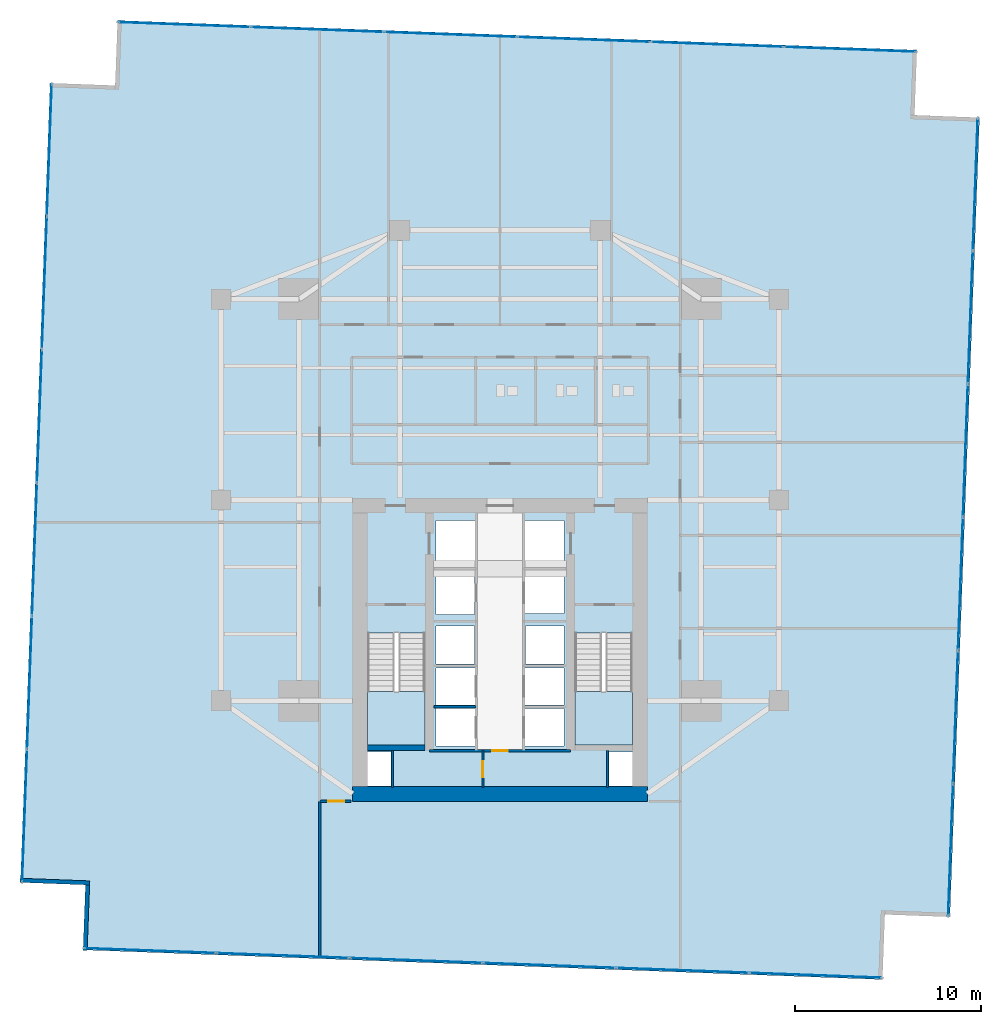
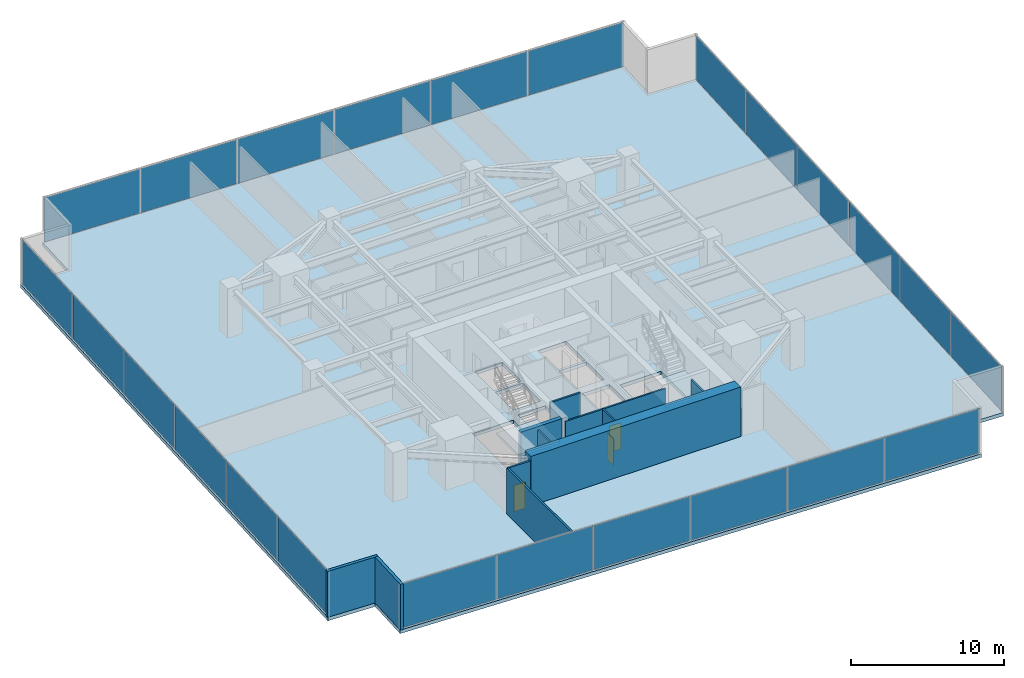
# One storey, part 26 of 30: 24 plates, 11 walls, 3 doors, 3 slabs, 3 openings, 6 elements without a shape of their own.
"""IFC4 building model written with IfcOpenShell, lengths in metres."""

import ifcopenshell
import ifcopenshell.guid

model = None  # the IFC model being written
_history = None  # IfcOwnerHistory: only IFC2X3 demands one
_inside = {}  # id of a spatial element -> (the spatial element, [elements in it])
_under = {}  # id of a project, library or spatial element -> (it, [spatial elements below it])
_declared = {}  # id of a project -> (the project, [libraries it declares])
_typed = {}  # id of a type object -> (the type object, [elements of that type])
_made_of = {}  # id of a material, layer set ... -> (it, [elements and type objects made of it])


def new_model(schema):
    """Start an empty IFC model of exactly this schema.

    Asked for "IFC4X3", IfcOpenShell would pick the latest addendum, in which some entities
    have other attributes; the version numbers below select the first issue.
    IFC2X3 requires an IfcOwnerHistory on every rooted entity: one is made here for all.
    """
    global model, _history
    if schema == "IFC4X3":
        model = ifcopenshell.file(schema_version=(4, 3, 0, 0))
    else:
        model = ifcopenshell.file(schema=schema)
    _inside.clear()
    _under.clear()
    _declared.clear()
    _typed.clear()
    _made_of.clear()
    _history = None
    if model.schema == "IFC2X3":
        org = make("IfcOrganization", Name="unknown")
        user = make(
            "IfcPersonAndOrganization",
            ThePerson=make("IfcPerson", FamilyName="unknown"),
            TheOrganization=org,
        )
        app = make(
            "IfcApplication",
            ApplicationDeveloper=org,
            Version="unknown",
            ApplicationFullName="unknown",
            ApplicationIdentifier="unknown",
        )
        _history = make(
            "IfcOwnerHistory",
            OwningUser=user,
            OwningApplication=app,
            ChangeAction="ADDED",
            CreationDate=0,
        )
    return model


def make(cls, **values):
    """One entity of the class cls with the attributes given. An attribute that is None is left unset."""
    return model.create_entity(
        cls, **{name: value for name, value in values.items() if value is not None}
    )


def rooted(cls, **values):
    """An entity with a GlobalId (a new one), such as an element, a storey or a relation."""
    return make(cls, GlobalId=ifcopenshell.guid.new(), OwnerHistory=_history, **values)


def si_unit(unit_type, name, prefix=None):
    """IfcSIUnit, for example si_unit("LENGTHUNIT", "METRE", prefix="MILLI")."""
    return make("IfcSIUnit", UnitType=unit_type, Prefix=prefix, Name=name)


def assignment(units):
    """IfcUnitAssignment: the units of a project."""
    return None if units is None else make("IfcUnitAssignment", Units=units)


def point(xyz):
    """IfcCartesianPoint."""
    return None if xyz is None else make("IfcCartesianPoint", Coordinates=xyz)


def direction(xyz):
    """IfcDirection."""
    return None if xyz is None else make("IfcDirection", DirectionRatios=xyz)


def frame(location, z_axis=None, x_axis=None):
    """IfcAxis2Placement3D, a coordinate frame: its origin and axes. An axis left out is left unset."""
    return make(
        "IfcAxis2Placement3D",
        Location=point(location),
        Axis=direction(z_axis),
        RefDirection=direction(x_axis),
    )


def frame_2d(location, x_axis=None):
    """IfcAxis2Placement2D, a coordinate frame in the plane: its origin and x axis."""
    return make(
        "IfcAxis2Placement2D", Location=point(location), RefDirection=direction(x_axis)
    )


def origin():
    """The frame at (0, 0, 0) with its axes left unset."""
    return frame((0.0, 0.0, 0.0))


def origin_2d():
    """The frame at (0, 0) in the plane with its x axis left unset."""
    return frame_2d((0.0, 0.0))


def place(relative_to, where):
    """IfcLocalPlacement: puts the frame where relative to a parent placement (None: the world)."""
    return make(
        "IfcLocalPlacement", PlacementRelTo=relative_to, RelativePlacement=where
    )


def context(
    kind, dimensions, precision=None, world=None, true_north=None, identifier=None
):
    """IfcGeometricRepresentationContext, for example the 3D "Model" context."""
    return make(
        "IfcGeometricRepresentationContext",
        ContextIdentifier=identifier,
        ContextType=kind,
        CoordinateSpaceDimension=dimensions,
        Precision=precision,
        WorldCoordinateSystem=world,
        TrueNorth=true_north,
    )


def subcontext(parent, identifier, kind, view, scale=None):
    """IfcGeometricRepresentationSubContext, for example "Body" below "Model"."""
    return make(
        "IfcGeometricRepresentationSubContext",
        ContextIdentifier=identifier,
        ContextType=kind,
        ParentContext=parent,
        TargetScale=scale,
        TargetView=view,
    )


def project(units=None, contexts=None):
    """IfcProject with its units and contexts."""
    return rooted(
        "IfcProject",
        Name="project",
        RepresentationContexts=contexts,
        UnitsInContext=assignment(units),
    )


def spatial(cls, under=None, at=None, **own):
    """A site, building, storey or space (cls), placed at a placement, below another one or the project."""
    s = rooted(cls, ObjectPlacement=at, **own)
    if under is not None:
        _under.setdefault(under.id(), (under, []))[1].append(s)
    return s


def polyline(points):
    """IfcPolyline through the points."""
    return make("IfcPolyline", Points=[point(p) for p in points])


def profile(cls, at=None, kind="AREA", **sizes):
    """A parametric profile (cls). Its sizes go by their IFC names, for example OverallWidth=200.0."""
    return make(cls, ProfileType=kind, Position=at, **sizes)


def rectangle(**sizes):
    """IfcRectangleProfileDef."""
    return profile("IfcRectangleProfileDef", **sizes)


def outline(outer, holes=None, kind="AREA"):
    """IfcArbitraryClosedProfileDef: a profile drawn as a closed curve; with holes, ...WithVoids."""
    if holes is None:
        return make("IfcArbitraryClosedProfileDef", ProfileType=kind, OuterCurve=outer)
    return make(
        "IfcArbitraryProfileDefWithVoids",
        ProfileType=kind,
        OuterCurve=outer,
        InnerCurves=holes,
    )


def extrude(swept, where, along, depth):
    """IfcExtrudedAreaSolid: the profile swept, set in the frame where, extruded along a direction by depth."""
    return make(
        "IfcExtrudedAreaSolid",
        SweptArea=swept,
        Position=where,
        ExtrudedDirection=direction(along),
        Depth=depth,
    )


def shape(context_of_items, identifier, shape_type, items):
    """IfcShapeRepresentation: the items that make up one representation, for example the "Body"."""
    return make(
        "IfcShapeRepresentation",
        ContextOfItems=context_of_items,
        RepresentationIdentifier=identifier,
        RepresentationType=shape_type,
        Items=items,
    )


def source(mapping_origin, context_of_items, identifier, shape_type, items):
    """IfcRepresentationMap: a shape defined once, which mapped items show again and again."""
    return make(
        "IfcRepresentationMap",
        MappingOrigin=mapping_origin,
        MappedRepresentation=shape(context_of_items, identifier, shape_type, items),
    )


def transform(
    local_origin,
    x_axis=None,
    y_axis=None,
    z_axis=None,
    scale=None,
    scale2=None,
    scale3=None,
    uniform=True,
):
    """IfcCartesianTransformationOperator3D, or its non-uniform kind. x_axis, y_axis, z_axis: its Axis1, 2, 3."""
    if uniform:
        return make(
            "IfcCartesianTransformationOperator3D",
            Axis1=direction(x_axis),
            Axis2=direction(y_axis),
            LocalOrigin=point(local_origin),
            Scale=scale,
            Axis3=direction(z_axis),
        )
    return make(
        "IfcCartesianTransformationOperator3DnonUniform",
        Axis1=direction(x_axis),
        Axis2=direction(y_axis),
        LocalOrigin=point(local_origin),
        Scale=scale,
        Axis3=direction(z_axis),
        Scale2=scale2,
        Scale3=scale3,
    )


def mapped(mapping_source, mapping_target):
    """IfcMappedItem: shows the shape of a source again, moved by a transform."""
    return make(
        "IfcMappedItem", MappingSource=mapping_source, MappingTarget=mapping_target
    )


def material(Name=None, Category=None):
    """IfcMaterial."""
    return make("IfcMaterial", Name=Name, Category=Category)


def layer(
    of_material, thickness, ventilated=None, Name=None, Category=None, Priority=None
):
    """IfcMaterialLayer: one layer of a wall or slab, of a material (None: an air gap)."""
    return make(
        "IfcMaterialLayer",
        Material=of_material,
        LayerThickness=thickness,
        IsVentilated=ventilated,
        Name=Name,
        Category=Category,
        Priority=Priority,
    )


def layer_set(layers, Name=None):
    """IfcMaterialLayerSet."""
    return make("IfcMaterialLayerSet", MaterialLayers=layers, LayerSetName=Name)


def made_of(thing, what):
    """Note that an element or type object is made of a material, layer set ...; save() writes the relation."""
    if what is not None:
        _made_of.setdefault(what.id(), (what, []))[1].append(thing)
    return thing


def type_object(cls, material=None, **own):
    """A type object (cls), such as IfcWallType, which elements share."""
    return made_of(rooted(cls, **own), material)


def type_shapes(of_type, sources):
    """Give a type object the sources (RepresentationMaps) that its elements show as mapped items."""
    of_type.RepresentationMaps = sources


def element(
    cls,
    number,
    at=None,
    inside=None,
    cuts=None,
    type_object=None,
    material=None,
    context=None,
    identifier="Body",
    shape_type=None,
    held_by="IfcProductDefinitionShape",
    body=None,
    shapes=None,
    **own,
):
    """One element of the class cls, such as IfcWall. Its Tag is "e" and its number.

    at: its placement. inside: the storey or other place that contains it. cuts: it is an
    opening in that element (IfcRelVoidsElement). A single representation is given by context,
    identifier, shape_type and body (its items); several are given by shapes. held_by: the class
    of the entity that holds the representations. save() writes the other relations.
    """
    e = rooted(cls, Tag="e%d" % number, ObjectPlacement=at, **own)
    if body is not None:
        shapes = [shape(context, identifier, shape_type, body)]
    if shapes is not None:
        e.Representation = make(held_by, Representations=shapes)
    if inside is not None:
        _inside.setdefault(inside.id(), (inside, []))[1].append(e)
    if cuts is not None:
        rooted(
            "IfcRelVoidsElement", RelatingBuildingElement=cuts, RelatedOpeningElement=e
        )
    if type_object is not None:
        _typed.setdefault(type_object.id(), (type_object, []))[1].append(e)
    return made_of(e, material)


def fill(opening, filler):
    """IfcRelFillsElement: the door or window that sits in an opening."""
    return rooted(
        "IfcRelFillsElement",
        RelatingOpeningElement=opening,
        RelatedBuildingElement=filler,
    )


def aggregate(whole, parts):
    """IfcRelAggregates: a whole, such as a stair, and the parts it consists of."""
    return rooted("IfcRelAggregates", RelatingObject=whole, RelatedObjects=parts)


def save(model, path):
    """Write the relations noted so far, then the file.

    IfcRelAggregates (storeys below a building ...), IfcRelContainedInSpatialStructure (elements
    in a storey), IfcRelDefinesByType, IfcRelAssociatesMaterial and IfcRelDeclares: one each for
    every whole, place, type object, material and project.
    """
    for whole, parts in _under.values():
        aggregate(whole, parts)
    for where, things in _inside.values():
        rooted(
            "IfcRelContainedInSpatialStructure",
            RelatedElements=things,
            RelatingStructure=where,
        )
    for kind, things in _typed.values():
        rooted("IfcRelDefinesByType", RelatedObjects=things, RelatingType=kind)
    for what, things in _made_of.values():
        rooted("IfcRelAssociatesMaterial", RelatedObjects=things, RelatingMaterial=what)
    for by, libraries in _declared.values():
        rooted("IfcRelDeclares", RelatingContext=by, RelatedDefinitions=libraries)
    model.write(path)


model = new_model("IFC4")

# Units and contexts
model_context = context("Model", 3, precision=1e-05, world=origin(), true_north=direction((0.0, 1.0)))
body_context = subcontext(model_context, "Body", "Model", "MODEL_VIEW")
ifc_project = project(units=[si_unit("LENGTHUNIT", "METRE"), si_unit("AREAUNIT", "SQUARE_METRE"), si_unit("VOLUMEUNIT", "CUBIC_METRE"), si_unit("PLANEANGLEUNIT", "RADIAN"), si_unit("MASSUNIT", "GRAM", prefix="KILO")], contexts=[model_context])

# Site, building, storey
site_placement = place(None, origin())
site = spatial("IfcSite", under=ifc_project, at=site_placement, CompositionType="ELEMENT")
building_placement = place(site_placement, origin())
building = spatial("IfcBuilding", under=site, at=building_placement, Name="Krantzveldt Concourse Tower", CompositionType="ELEMENT")
storey_placement = place(building_placement, frame((0.0, 0.0, 36.85009765625)))
storey = spatial("IfcBuildingStorey", under=building, at=storey_placement, Name="L08", CompositionType="ELEMENT", Elevation=36.85009765625)

# Stair, slab
ifc_material_1 = material(Name="Precast concrete C40/50", Category="concrete")
stair_type = type_object("IfcStairType", Name="STR-CORE-DOGLEG", PredefinedType="HALF_TURN_STAIR", material=ifc_material_1)
stair_1_placement = place(storey_placement, origin())
stair_1 = element("IfcStair", 1, at=stair_1_placement, inside=storey, type_object=stair_type, Name="L08 Protected Escape Stair ST-1", PredefinedType="HALF_TURN_STAIR")
ifc_layer_1 = layer(ifc_material_1, 0.199951171875, Name="Precast concrete C40/50", Category="concrete")
ifc_layer_set_1 = layer_set([ifc_layer_1], Name="Precast concrete C40/50 (SL-LANDING-200)")
slab_type_1 = type_object("IfcSlabType", Name="SL-LANDING-200", PredefinedType="LANDING", material=ifc_layer_set_1)
slab_1_placement = place(storey_placement, frame((0.0, 0.0, 1.77490234375)))
slab_1 = element("IfcSlab", 2, at=slab_1_placement, type_object=slab_type_1, Name="ST-1 landing 1", PredefinedType="LANDING", context=body_context, shape_type="SweptSolid", body=[
    extrude(outline(polyline([(28.8798828125, 16.4150390625), (28.8798828125, 13.52001953125), (31.97998046875, 13.52001953125), (31.97998046875, 16.4150390625), (28.8798828125, 16.4150390625)])), origin(), (0.0, 0.0, 1.0), 0.199951171875),
])
aggregate(stair_1, [slab_1])

stair_2_placement = place(storey_placement, origin())
stair_2 = element("IfcStair", 3, at=stair_2_placement, inside=storey, type_object=stair_type, Name="L08 Protected Escape Stair ST-2", PredefinedType="HALF_TURN_STAIR")
slab_2_placement = place(storey_placement, frame((0.0, 0.0, 1.77490234375)))
slab_2 = element("IfcSlab", 4, at=slab_2_placement, type_object=slab_type_1, Name="ST-2 landing 1", PredefinedType="LANDING", context=body_context, shape_type="SweptSolid", body=[
    extrude(outline(polyline([(40.02001953125, 16.4150390625), (40.02001953125, 13.52001953125), (43.1201171875, 13.52001953125), (43.1201171875, 16.4150390625), (40.02001953125, 16.4150390625)])), origin(), (0.0, 0.0, 1.0), 0.199951171875),
])
aggregate(stair_2, [slab_2])

# Slab
ifc_material_2 = material(Name="Concrete C40/50", Category="concrete")
ifc_layer_2 = layer(ifc_material_2, 0.280029296875, Name="Concrete C40/50", Category="concrete")
ifc_layer_set_2 = layer_set([ifc_layer_2], Name="Concrete C40/50 (SL-SL-TWR280)")
slab_type_2 = type_object("IfcSlabType", Name="SL-SL-TWR280", PredefinedType="FLOOR", material=ifc_layer_set_2)
slab_3_placement = place(storey_placement, frame((0.0, 0.0, -0.280029296875)))
element("IfcSlab", 5, at=slab_3_placement, inside=storey, type_object=slab_type_2, Name="SL-L08-MAIN", PredefinedType="FLOOR", context=body_context, shape_type="SweptSolid", body=[
    extrude(outline(polyline([(15.31201171875, 48.982421875), (11.814453125, 49.1123046875), (10.219970703125, 6.141845703125), (13.717529296875, 6.011962890625), (13.587890625, 2.514404296875), (56.55810546875, 0.919921875), (56.68798828125, 4.41748046875), (60.185546875, 4.287841796875), (61.780029296875, 47.25830078125), (58.282470703125, 47.387939453125), (58.412109375, 50.885498046875), (15.44189453125, 52.47998046875), (15.31201171875, 48.982421875)]), holes=[polyline([(28.8798828125, 19.547607421875), (28.8798828125, 13.52001953125), (31.97998046875, 13.52001953125), (31.97998046875, 19.547607421875), (28.8798828125, 19.547607421875)]), polyline([(40.02001953125, 19.547607421875), (40.02001953125, 13.52001953125), (43.1201171875, 13.52001953125), (43.1201171875, 19.547607421875), (40.02001953125, 19.547607421875)]), polyline([(32.550048828125, 23.10009765625), (34.64990234375, 23.10009765625), (34.64990234375, 25.60009765625), (32.550048828125, 25.60009765625), (32.550048828125, 23.10009765625)]), polyline([(37.35009765625, 23.10009765625), (39.449951171875, 23.10009765625), (39.449951171875, 25.60009765625), (37.35009765625, 25.60009765625), (37.35009765625, 23.10009765625)]), polyline([(37.35009765625, 20.60009765625), (39.449951171875, 20.60009765625), (39.449951171875, 22.89990234375), (37.35009765625, 22.89990234375), (37.35009765625, 20.60009765625)]), polyline([(32.550048828125, 13.47998046875), (34.64990234375, 13.47998046875), (34.64990234375, 15.47998046875), (32.550048828125, 15.47998046875), (32.550048828125, 13.47998046875)]), polyline([(32.550048828125, 15.679931640625), (34.64990234375, 15.679931640625), (34.64990234375, 17.679931640625), (32.550048828125, 17.679931640625), (32.550048828125, 15.679931640625)]), polyline([(37.35009765625, 13.47998046875), (39.449951171875, 13.47998046875), (39.449951171875, 15.47998046875), (37.35009765625, 15.47998046875), (37.35009765625, 13.47998046875)]), polyline([(37.35009765625, 15.679931640625), (39.449951171875, 15.679931640625), (39.449951171875, 17.679931640625), (37.35009765625, 17.679931640625), (37.35009765625, 15.679931640625)]), polyline([(32.550048828125, 20.550048828125), (34.6201171875, 20.550048828125), (34.6201171875, 22.89990234375), (32.550048828125, 22.89990234375), (32.550048828125, 20.550048828125)]), polyline([(32.550048828125, 17.8798828125), (34.6201171875, 17.8798828125), (34.6201171875, 19.919921875), (32.550048828125, 19.919921875), (32.550048828125, 17.8798828125)]), polyline([(37.3798828125, 17.8798828125), (39.449951171875, 17.8798828125), (39.449951171875, 19.919921875), (37.3798828125, 19.919921875), (37.3798828125, 17.8798828125)]), polyline([(28.8798828125, 11.320068359375), (30.139892578125, 11.320068359375), (30.139892578125, 13.159912109375), (28.8798828125, 13.159912109375), (28.8798828125, 11.320068359375)]), polyline([(41.860107421875, 11.320068359375), (43.1201171875, 11.320068359375), (43.1201171875, 13.159912109375), (41.860107421875, 13.159912109375), (41.860107421875, 11.320068359375)])]), origin(), (0.0, 0.0, 1.0), 0.280029296875),
])

# Curtain wall, plates
ifc_material_3 = material(Name="Anodised aluminium 6063-T6", Category="aluminium")
curtain_wall_type = type_object("IfcCurtainWallType", Name="CW2", PredefinedType="USERDEFINED", material=ifc_material_3)
curtain_wall_1_placement = place(storey_placement, origin())
curtain_wall_1 = element("IfcCurtainWall", 6, at=curtain_wall_1_placement, inside=storey, type_object=curtain_wall_type, Name="CW-L08-F01", ObjectType="UNITISED CURTAIN WALL", PredefinedType="USERDEFINED")
ifc_material_4 = material(Name="Bronze-tinted laminated low-E IGU glass", Category="glass")
ifc_layer_3 = layer(ifc_material_4, 0.031982421875, Name="Bronze-tinted laminated low-E IGU glass", Category="glass")
ifc_layer_set_3 = layer_set([ifc_layer_3], Name="Bronze-tinted laminated low-E IGU glass (CW-GLZ-32)")
plate_type = type_object("IfcPlateType", Name="CW-GLZ-32", PredefinedType="CURTAIN_PANEL", material=ifc_layer_set_3)
shared_shape_1 = source(origin(), body_context, "Body", "SweptSolid", [
    extrude(rectangle(XDim=7.061767578125, YDim=0.031982421875, at=origin_2d()), origin(), (0.0, 0.0, 1.0), 3.530029296875),
])
plate_1_placement = place(storey_placement, frame((11.770751953125, 45.510498046875, 0.06982421875), z_axis=(0.0, 0.0, 1.0), x_axis=(-0.037079766834, -0.999312308986, 0.0)))
plate_1 = element("IfcPlate", 7, at=plate_1_placement, type_object=plate_type, Name="CW-Z12 panel 1.1", PredefinedType="CURTAIN_PANEL", context=body_context, shape_type="MappedRepresentation", body=[
    mapped(shared_shape_1, transform((0.0, 0.0, 0.0), x_axis=(1.0, 0.0, 0.0), y_axis=(0.0, 1.0, 0.0), z_axis=(0.0, 0.0, 1.0), scale=1.0)),
])
plate_2_placement = place(storey_placement, frame((10.443359375, 9.73681640625, 0.06982421875), z_axis=(0.0, 0.0, 1.0), x_axis=(-0.037079766834, -0.999312308986, 0.0)))
plate_2 = element("IfcPlate", 8, at=plate_2_placement, type_object=plate_type, Name="CW-Z12 panel 6.1", PredefinedType="CURTAIN_PANEL", context=body_context, shape_type="MappedRepresentation", body=[
    mapped(shared_shape_1, transform((0.0, 0.0, 0.0), x_axis=(1.0, 0.0, 0.0), y_axis=(0.0, 1.0, 0.0), z_axis=(0.0, 0.0, 1.0), scale=1.0)),
])

curtain_wall_2_placement = place(storey_placement, origin())
curtain_wall_2 = element("IfcCurtainWall", 9, at=curtain_wall_2_placement, inside=storey, type_object=curtain_wall_type, Name="CW-L08-F04", ObjectType="UNITISED CURTAIN WALL", PredefinedType="USERDEFINED")
plate_3_placement = place(storey_placement, frame((17.189453125, 2.470947265625, 0.06982421875), z_axis=(0.0, 0.0, 1.0), x_axis=(0.999312308986, -0.037079766834, 0.0)))
plate_3 = element("IfcPlate", 10, at=plate_3_placement, type_object=plate_type, Name="CW-Z12 panel 1.1", PredefinedType="CURTAIN_PANEL", context=body_context, shape_type="MappedRepresentation", body=[
    mapped(shared_shape_1, transform((0.0, 0.0, 0.0), x_axis=(1.0, 0.0, 0.0), y_axis=(0.0, 1.0, 0.0), z_axis=(0.0, 0.0, 1.0), scale=1.0)),
])
plate_4_placement = place(storey_placement, frame((52.963134765625, 1.1435546875, 0.06982421875), z_axis=(0.0, 0.0, 1.0), x_axis=(0.999312308986, -0.037079766834, 0.0)))
plate_4 = element("IfcPlate", 11, at=plate_4_placement, type_object=plate_type, Name="CW-Z12 panel 6.1", PredefinedType="CURTAIN_PANEL", context=body_context, shape_type="MappedRepresentation", body=[
    mapped(shared_shape_1, transform((0.0, 0.0, 0.0), x_axis=(1.0, 0.0, 0.0), y_axis=(0.0, 1.0, 0.0), z_axis=(0.0, 0.0, 1.0), scale=1.0)),
])

curtain_wall_3_placement = place(storey_placement, origin())
curtain_wall_3 = element("IfcCurtainWall", 12, at=curtain_wall_3_placement, inside=storey, type_object=curtain_wall_type, Name="CW-L08-F07", ObjectType="UNITISED CURTAIN WALL", PredefinedType="USERDEFINED")
plate_5_placement = place(storey_placement, frame((60.229248046875, 7.889404296875, 0.06982421875), z_axis=(0.0, 0.0, 1.0), x_axis=(0.037079766834, 0.999312308986, 0.0)))
plate_5 = element("IfcPlate", 13, at=plate_5_placement, type_object=plate_type, Name="CW-Z12 panel 1.1", PredefinedType="CURTAIN_PANEL", context=body_context, shape_type="MappedRepresentation", body=[
    mapped(shared_shape_1, transform((0.0, 0.0, 0.0), x_axis=(1.0, 0.0, 0.0), y_axis=(0.0, 1.0, 0.0), z_axis=(0.0, 0.0, 1.0), scale=1.0)),
])
plate_6_placement = place(storey_placement, frame((61.556640625, 43.6630859375, 0.06982421875), z_axis=(0.0, 0.0, 1.0), x_axis=(0.037079766834, 0.999312308986, 0.0)))
plate_6 = element("IfcPlate", 14, at=plate_6_placement, type_object=plate_type, Name="CW-Z12 panel 6.1", PredefinedType="CURTAIN_PANEL", context=body_context, shape_type="MappedRepresentation", body=[
    mapped(shared_shape_1, transform((0.0, 0.0, 0.0), x_axis=(1.0, 0.0, 0.0), y_axis=(0.0, 1.0, 0.0), z_axis=(0.0, 0.0, 1.0), scale=1.0)),
])

curtain_wall_4_placement = place(storey_placement, origin())
curtain_wall_4 = element("IfcCurtainWall", 15, at=curtain_wall_4_placement, inside=storey, type_object=curtain_wall_type, Name="CW-L08-F10", ObjectType="UNITISED CURTAIN WALL", PredefinedType="USERDEFINED")
plate_7_placement = place(storey_placement, frame((54.810546875, 50.92919921875, 0.06982421875), z_axis=(0.0, 0.0, 1.0), x_axis=(-0.999312308986, 0.037079766834, 0.0)))
plate_7 = element("IfcPlate", 16, at=plate_7_placement, type_object=plate_type, Name="CW-Z12 panel 1.1", PredefinedType="CURTAIN_PANEL", context=body_context, shape_type="MappedRepresentation", body=[
    mapped(shared_shape_1, transform((0.0, 0.0, 0.0), x_axis=(1.0, 0.0, 0.0), y_axis=(0.0, 1.0, 0.0), z_axis=(0.0, 0.0, 1.0), scale=1.0)),
])
plate_8_placement = place(storey_placement, frame((19.036865234375, 52.256591796875, 0.06982421875), z_axis=(0.0, 0.0, 1.0), x_axis=(-0.999312308986, 0.037079766834, 0.0)))
plate_8 = element("IfcPlate", 17, at=plate_8_placement, type_object=plate_type, Name="CW-Z12 panel 6.1", PredefinedType="CURTAIN_PANEL", context=body_context, shape_type="MappedRepresentation", body=[
    mapped(shared_shape_1, transform((0.0, 0.0, 0.0), x_axis=(1.0, 0.0, 0.0), y_axis=(0.0, 1.0, 0.0), z_axis=(0.0, 0.0, 1.0), scale=1.0)),
])

# Plate
shared_shape_2 = source(origin(), body_context, "Body", "SweptSolid", [
    extrude(rectangle(XDim=7.0966796875, YDim=0.031982421875, at=origin_2d()), origin(), (0.0, 0.0, 1.0), 3.530029296875),
])
type_shapes(plate_type, [shared_shape_1, shared_shape_2])
plate_9_placement = place(storey_placement, frame((11.505859375, 38.3662109375, 0.06982421875), z_axis=(0.0, 0.0, 1.0), x_axis=(-0.037079766834, -0.999312308986, 0.0)))
plate_9 = element("IfcPlate", 18, at=plate_9_placement, type_object=plate_type, Name="CW-Z12 panel 2.1", PredefinedType="CURTAIN_PANEL", context=body_context, shape_type="MappedRepresentation", body=[
    mapped(shared_shape_2, transform((0.0, 0.0, 0.0), x_axis=(1.0, 0.0, 0.0), y_axis=(0.0, 1.0, 0.0), z_axis=(0.0, 0.0, 1.0), scale=1.0)),
])

plate_10_placement = place(storey_placement, frame((11.239990234375, 31.20458984375, 0.06982421875), z_axis=(0.0, 0.0, 1.0), x_axis=(-0.037079766834, -0.999312308986, 0.0)))
plate_10 = element("IfcPlate", 19, at=plate_10_placement, type_object=plate_type, Name="CW-Z12 panel 3.1", PredefinedType="CURTAIN_PANEL", context=body_context, shape_type="MappedRepresentation", body=[
    mapped(shared_shape_2, transform((0.0, 0.0, 0.0), x_axis=(1.0, 0.0, 0.0), y_axis=(0.0, 1.0, 0.0), z_axis=(0.0, 0.0, 1.0), scale=1.0)),
])

plate_11_placement = place(storey_placement, frame((10.974365234375, 24.042724609375, 0.06982421875), z_axis=(0.0, 0.0, 1.0), x_axis=(-0.037079766834, -0.999312308986, 0.0)))
plate_11 = element("IfcPlate", 20, at=plate_11_placement, type_object=plate_type, Name="CW-Z12 panel 4.1", PredefinedType="CURTAIN_PANEL", context=body_context, shape_type="MappedRepresentation", body=[
    mapped(shared_shape_2, transform((0.0, 0.0, 0.0), x_axis=(1.0, 0.0, 0.0), y_axis=(0.0, 1.0, 0.0), z_axis=(0.0, 0.0, 1.0), scale=1.0)),
])

plate_12_placement = place(storey_placement, frame((10.70849609375, 16.881103515625, 0.06982421875), z_axis=(0.0, 0.0, 1.0), x_axis=(-0.037079766834, -0.999312308986, 0.0)))
plate_12 = element("IfcPlate", 21, at=plate_12_placement, type_object=plate_type, Name="CW-Z12 panel 5.1", PredefinedType="CURTAIN_PANEL", context=body_context, shape_type="MappedRepresentation", body=[
    mapped(shared_shape_2, transform((0.0, 0.0, 0.0), x_axis=(1.0, 0.0, 0.0), y_axis=(0.0, 1.0, 0.0), z_axis=(0.0, 0.0, 1.0), scale=1.0)),
])

aggregate(curtain_wall_1, [plate_1, plate_9, plate_10, plate_11, plate_12, plate_2])

plate_13_placement = place(storey_placement, frame((24.333740234375, 2.205810546875, 0.06982421875), z_axis=(0.0, 0.0, 1.0), x_axis=(0.999312308986, -0.037079766834, 0.0)))
plate_13 = element("IfcPlate", 22, at=plate_13_placement, type_object=plate_type, Name="CW-Z12 panel 2.1", PredefinedType="CURTAIN_PANEL", context=body_context, shape_type="MappedRepresentation", body=[
    mapped(shared_shape_2, transform((0.0, 0.0, 0.0), x_axis=(1.0, 0.0, 0.0), y_axis=(0.0, 1.0, 0.0), z_axis=(0.0, 0.0, 1.0), scale=1.0)),
])

plate_14_placement = place(storey_placement, frame((31.495361328125, 1.93994140625, 0.06982421875), z_axis=(0.0, 0.0, 1.0), x_axis=(0.999312308986, -0.037079766834, 0.0)))
plate_14 = element("IfcPlate", 23, at=plate_14_placement, type_object=plate_type, Name="CW-Z12 panel 3.1", PredefinedType="CURTAIN_PANEL", context=body_context, shape_type="MappedRepresentation", body=[
    mapped(shared_shape_2, transform((0.0, 0.0, 0.0), x_axis=(1.0, 0.0, 0.0), y_axis=(0.0, 1.0, 0.0), z_axis=(0.0, 0.0, 1.0), scale=1.0)),
])

plate_15_placement = place(storey_placement, frame((38.6572265625, 1.67431640625, 0.06982421875), z_axis=(0.0, 0.0, 1.0), x_axis=(0.999312308986, -0.037079766834, 0.0)))
plate_15 = element("IfcPlate", 24, at=plate_15_placement, type_object=plate_type, Name="CW-Z12 panel 4.1", PredefinedType="CURTAIN_PANEL", context=body_context, shape_type="MappedRepresentation", body=[
    mapped(shared_shape_2, transform((0.0, 0.0, 0.0), x_axis=(1.0, 0.0, 0.0), y_axis=(0.0, 1.0, 0.0), z_axis=(0.0, 0.0, 1.0), scale=1.0)),
])

plate_16_placement = place(storey_placement, frame((45.81884765625, 1.408447265625, 0.06982421875), z_axis=(0.0, 0.0, 1.0), x_axis=(0.999312308986, -0.037079766834, 0.0)))
plate_16 = element("IfcPlate", 25, at=plate_16_placement, type_object=plate_type, Name="CW-Z12 panel 5.1", PredefinedType="CURTAIN_PANEL", context=body_context, shape_type="MappedRepresentation", body=[
    mapped(shared_shape_2, transform((0.0, 0.0, 0.0), x_axis=(1.0, 0.0, 0.0), y_axis=(0.0, 1.0, 0.0), z_axis=(0.0, 0.0, 1.0), scale=1.0)),
])

aggregate(curtain_wall_2, [plate_3, plate_13, plate_14, plate_15, plate_16, plate_4])

plate_17_placement = place(storey_placement, frame((60.494140625, 15.03369140625, 0.06982421875), z_axis=(0.0, 0.0, 1.0), x_axis=(0.037079766834, 0.999312308986, 0.0)))
plate_17 = element("IfcPlate", 26, at=plate_17_placement, type_object=plate_type, Name="CW-Z12 panel 2.1", PredefinedType="CURTAIN_PANEL", context=body_context, shape_type="MappedRepresentation", body=[
    mapped(shared_shape_2, transform((0.0, 0.0, 0.0), x_axis=(1.0, 0.0, 0.0), y_axis=(0.0, 1.0, 0.0), z_axis=(0.0, 0.0, 1.0), scale=1.0)),
])

plate_18_placement = place(storey_placement, frame((60.760009765625, 22.195556640625, 0.06982421875), z_axis=(0.0, 0.0, 1.0), x_axis=(0.037079766834, 0.999312308986, 0.0)))
plate_18 = element("IfcPlate", 27, at=plate_18_placement, type_object=plate_type, Name="CW-Z12 panel 3.1", PredefinedType="CURTAIN_PANEL", context=body_context, shape_type="MappedRepresentation", body=[
    mapped(shared_shape_2, transform((0.0, 0.0, 0.0), x_axis=(1.0, 0.0, 0.0), y_axis=(0.0, 1.0, 0.0), z_axis=(0.0, 0.0, 1.0), scale=1.0)),
])

plate_19_placement = place(storey_placement, frame((61.025634765625, 29.357177734375, 0.06982421875), z_axis=(0.0, 0.0, 1.0), x_axis=(0.037079766834, 0.999312308986, 0.0)))
plate_19 = element("IfcPlate", 28, at=plate_19_placement, type_object=plate_type, Name="CW-Z12 panel 4.1", PredefinedType="CURTAIN_PANEL", context=body_context, shape_type="MappedRepresentation", body=[
    mapped(shared_shape_2, transform((0.0, 0.0, 0.0), x_axis=(1.0, 0.0, 0.0), y_axis=(0.0, 1.0, 0.0), z_axis=(0.0, 0.0, 1.0), scale=1.0)),
])

plate_20_placement = place(storey_placement, frame((61.29150390625, 36.51904296875, 0.06982421875), z_axis=(0.0, 0.0, 1.0), x_axis=(0.037079766834, 0.999312308986, 0.0)))
plate_20 = element("IfcPlate", 29, at=plate_20_placement, type_object=plate_type, Name="CW-Z12 panel 5.1", PredefinedType="CURTAIN_PANEL", context=body_context, shape_type="MappedRepresentation", body=[
    mapped(shared_shape_2, transform((0.0, 0.0, 0.0), x_axis=(1.0, 0.0, 0.0), y_axis=(0.0, 1.0, 0.0), z_axis=(0.0, 0.0, 1.0), scale=1.0)),
])

aggregate(curtain_wall_3, [plate_5, plate_17, plate_18, plate_19, plate_20, plate_6])

plate_21_placement = place(storey_placement, frame((47.666259765625, 51.1943359375, 0.06982421875), z_axis=(0.0, 0.0, 1.0), x_axis=(-0.999312308986, 0.037079766834, 0.0)))
plate_21 = element("IfcPlate", 30, at=plate_21_placement, type_object=plate_type, Name="CW-Z12 panel 2.1", PredefinedType="CURTAIN_PANEL", context=body_context, shape_type="MappedRepresentation", body=[
    mapped(shared_shape_2, transform((0.0, 0.0, 0.0), x_axis=(1.0, 0.0, 0.0), y_axis=(0.0, 1.0, 0.0), z_axis=(0.0, 0.0, 1.0), scale=1.0)),
])

plate_22_placement = place(storey_placement, frame((40.504638671875, 51.4599609375, 0.06982421875), z_axis=(0.0, 0.0, 1.0), x_axis=(-0.999312308986, 0.037079766834, 0.0)))
plate_22 = element("IfcPlate", 31, at=plate_22_placement, type_object=plate_type, Name="CW-Z12 panel 3.1", PredefinedType="CURTAIN_PANEL", context=body_context, shape_type="MappedRepresentation", body=[
    mapped(shared_shape_2, transform((0.0, 0.0, 0.0), x_axis=(1.0, 0.0, 0.0), y_axis=(0.0, 1.0, 0.0), z_axis=(0.0, 0.0, 1.0), scale=1.0)),
])

plate_23_placement = place(storey_placement, frame((33.3427734375, 51.725830078125, 0.06982421875), z_axis=(0.0, 0.0, 1.0), x_axis=(-0.999312308986, 0.037079766834, 0.0)))
plate_23 = element("IfcPlate", 32, at=plate_23_placement, type_object=plate_type, Name="CW-Z12 panel 4.1", PredefinedType="CURTAIN_PANEL", context=body_context, shape_type="MappedRepresentation", body=[
    mapped(shared_shape_2, transform((0.0, 0.0, 0.0), x_axis=(1.0, 0.0, 0.0), y_axis=(0.0, 1.0, 0.0), z_axis=(0.0, 0.0, 1.0), scale=1.0)),
])

plate_24_placement = place(storey_placement, frame((26.18115234375, 51.991455078125, 0.06982421875), z_axis=(0.0, 0.0, 1.0), x_axis=(-0.999312308986, 0.037079766834, 0.0)))
plate_24 = element("IfcPlate", 33, at=plate_24_placement, type_object=plate_type, Name="CW-Z12 panel 5.1", PredefinedType="CURTAIN_PANEL", context=body_context, shape_type="MappedRepresentation", body=[
    mapped(shared_shape_2, transform((0.0, 0.0, 0.0), x_axis=(1.0, 0.0, 0.0), y_axis=(0.0, 1.0, 0.0), z_axis=(0.0, 0.0, 1.0), scale=1.0)),
])

aggregate(curtain_wall_4, [plate_7, plate_21, plate_22, plate_23, plate_24, plate_8])

# Walls
ifc_layer_4 = layer(ifc_material_3, 0.219970703125, Name="Anodised aluminium 6063-T6", Category="aluminium")
ifc_layer_set_4 = layer_set([ifc_layer_4], Name="Anodised aluminium 6063-T6 (WL-EXT-NOTCH220)")
wall_type_1 = type_object("IfcWallType", Name="WL-EXT-NOTCH220", PredefinedType="ELEMENTEDWALL", material=ifc_layer_set_4)
wall_1_placement = place(storey_placement, frame((10.198974609375, 6.252685546875, 0.0), z_axis=(0.0, 0.0, 1.0), x_axis=(0.999311794114, -0.037093640215, 0.0)))
element("IfcWall", 34, at=wall_1_placement, inside=storey, type_object=wall_type_1, Name="EW-L08-NCH02", PredefinedType="ELEMENTEDWALL", context=body_context, shape_type="SweptSolid", body=[
    extrude(rectangle(XDim=3.7451171875, YDim=0.219970703125, at=frame_2d((1.87255859375, 0.0))), origin(), (0.0, 0.0, 1.0), 3.669921875),
])
wall_2_placement = place(storey_placement, frame((13.827392578125, 6.0078125, 0.0), z_axis=(0.0, 0.0, 1.0), x_axis=(-0.03705521019, -0.999313219865, 0.0)))
element("IfcWall", 35, at=wall_2_placement, inside=storey, type_object=wall_type_1, Name="EW-L08-NCH03", PredefinedType="ELEMENTEDWALL", context=body_context, shape_type="SweptSolid", body=[
    extrude(rectangle(XDim=3.52490234375, YDim=0.219970703125, at=frame_2d((1.762451171875, 0.0))), origin(), (0.0, 0.0, 1.0), 3.669921875),
])

# Wall, opening, door
ifc_material_5 = material(Name="Fire-rated gypsum plasterboard on steel stud", Category="steel")
ifc_layer_5 = layer(ifc_material_5, 0.1201171875, Name="Fire-rated gypsum plasterboard on steel stud", Category="steel")
ifc_layer_set_5 = layer_set([ifc_layer_5], Name="Fire-rated gypsum plasterboard on steel stud (WL-PART-120)")
wall_type_2 = type_object("IfcWallType", Name="WL-PART-120", PredefinedType="PARTITIONING", material=ifc_layer_set_5)
wall_3_placement = place(storey_placement, frame((32.2099609375, 13.219970703125, 0.0), z_axis=(0.0, 0.0, 1.0), x_axis=(1.0, 0.0, 0.0)))
wall_3 = element("IfcWall", 36, at=wall_3_placement, inside=storey, type_object=wall_type_2, Name="WP-L08-CS2H", PredefinedType="PARTITIONING", context=body_context, shape_type="SweptSolid", body=[
    extrude(rectangle(XDim=7.580078125, YDim=0.1201171875, at=frame_2d((3.7900390625, 0.0))), origin(), (0.0, 0.0, 1.0), 3.669921875),
])
opening_1_placement = place(wall_3_placement, frame((3.364990234375, 0.0, 0.0)))
opening_1 = element("IfcOpeningElement", 37, at=opening_1_placement, cuts=wall_3, Name="Opening D-IN085", PredefinedType="OPENING", context=body_context, shape_type="SweptSolid", body=[
    extrude(rectangle(XDim=0.85009765625, YDim=2.10009765625, at=frame_2d((0.425048828125, 1.050048828125))), frame((0.0, 0.070068359375, 0.0), z_axis=(0.0, -1.0, 0.0), x_axis=(1.0, 0.0, 0.0)), (0.0, 0.0, 1.0), 0.14013671875),
])
ifc_material_6 = material(Name="Hardwood timber", Category="wood")
door_type = type_object("IfcDoorType", Name="DR-INT-850", OperationType="SINGLE_SWING_LEFT", PredefinedType="DOOR", material=ifc_material_6)
door_1_placement = place(opening_1_placement, origin())
door_1 = element("IfcDoor", 38, at=door_1_placement, inside=storey, type_object=door_type, Name="DR-L08-LLBS", OperationType="SINGLE_SWING_RIGHT", OverallHeight=2.10009765625, OverallWidth=0.85009765625, PredefinedType="DOOR", context=body_context, shape_type="SweptSolid", body=[
    extrude(rectangle(XDim=0.85009765625, YDim=2.10009765625, at=frame_2d((0.425048828125, 1.050048828125))), frame((0.0, 0.02490234375, 0.0), z_axis=(0.0, -1.0, 0.0), x_axis=(1.0, 0.0, 0.0)), (0.0, 0.0, 1.0), 0.050048828125),
])
fill(opening_1, door_1)

wall_4_placement = place(storey_placement, frame((35.080078125, 11.25, 0.0), z_axis=(0.0, 0.0, 1.0), x_axis=(0.0, 1.0, 0.0)))
wall_4 = element("IfcWall", 39, at=wall_4_placement, inside=storey, type_object=wall_type_2, Name="WP-L08-CSA-V", PredefinedType="PARTITIONING", context=body_context, shape_type="SweptSolid", body=[
    extrude(rectangle(XDim=1.969970703125, YDim=0.1201171875, at=frame_2d((0.98486328125, 0.0))), origin(), (0.0, 0.0, 1.0), 3.669921875),
])
opening_2_placement = place(wall_4_placement, frame((0.544921875, 0.0, 0.0)))
opening_2 = element("IfcOpeningElement", 40, at=opening_2_placement, cuts=wall_4, Name="Opening D-IN085", PredefinedType="OPENING", context=body_context, shape_type="SweptSolid", body=[
    extrude(rectangle(XDim=0.85009765625, YDim=2.10009765625, at=frame_2d((0.425048828125, 1.050048828125))), frame((0.0, 0.070068359375, 0.0), z_axis=(0.0, -1.0, 0.0), x_axis=(1.0, 0.0, 0.0)), (0.0, 0.0, 1.0), 0.14013671875),
])
door_2_placement = place(opening_2_placement, origin())
door_2 = element("IfcDoor", 41, at=door_2_placement, inside=storey, type_object=door_type, Name="DR-L08-CSA1", OperationType="SINGLE_SWING_LEFT", OverallHeight=2.10009765625, OverallWidth=0.85009765625, PredefinedType="DOOR", context=body_context, shape_type="SweptSolid", body=[
    extrude(rectangle(XDim=0.85009765625, YDim=2.10009765625, at=frame_2d((0.425048828125, 1.050048828125))), frame((0.0, 0.02490234375, 0.0), z_axis=(0.0, -1.0, 0.0), x_axis=(1.0, 0.0, 0.0)), (0.0, 0.0, 1.0), 0.050048828125),
])
fill(opening_2, door_2)

ifc_layer_6 = layer(ifc_material_5, 0.139892578125, Name="Fire-rated gypsum plasterboard on steel stud", Category="steel")
ifc_layer_set_6 = layer_set([ifc_layer_6], Name="Fire-rated gypsum plasterboard on steel stud (WL-PART-140)")
wall_type_3 = type_object("IfcWallType", Name="WL-PART-140", PredefinedType="PARTITIONING", material=ifc_layer_set_6)
wall_5_placement = place(storey_placement, frame((26.320068359375, 10.5, 0.0), z_axis=(0.0, 0.0, 1.0), x_axis=(1.0, 0.0, 0.0)))
wall_5 = element("IfcWall", 42, at=wall_5_placement, inside=storey, type_object=wall_type_3, Name="WP-L08-CWBOT", PredefinedType="PARTITIONING", context=body_context, shape_type="SweptSolid", body=[
    extrude(rectangle(XDim=1.679931640625, YDim=0.139892578125, at=frame_2d((0.83984375, 0.0))), origin(), (0.0, 0.0, 1.0), 3.669921875),
])
opening_3_placement = place(wall_5_placement, frame((0.445068359375, 0.0, 0.0)))
opening_3 = element("IfcOpeningElement", 43, at=opening_3_placement, cuts=wall_5, Name="Opening D-IN085", PredefinedType="OPENING", context=body_context, shape_type="SweptSolid", body=[
    extrude(rectangle(XDim=0.85009765625, YDim=2.10009765625, at=frame_2d((0.425048828125, 1.050048828125))), frame((0.0, 0.080078125, 0.0), z_axis=(0.0, -1.0, 0.0), x_axis=(1.0, 0.0, 0.0)), (0.0, 0.0, 1.0), 0.159912109375),
])
door_3_placement = place(opening_3_placement, origin())
door_3 = element("IfcDoor", 44, at=door_3_placement, inside=storey, type_object=door_type, Name="DR-L08-SR1", OperationType="SINGLE_SWING_LEFT", OverallHeight=2.10009765625, OverallWidth=0.85009765625, PredefinedType="DOOR", context=body_context, shape_type="SweptSolid", body=[
    extrude(rectangle(XDim=0.85009765625, YDim=2.10009765625, at=frame_2d((0.425048828125, 1.050048828125))), frame((0.0, 0.02490234375, 0.0), z_axis=(0.0, -1.0, 0.0), x_axis=(1.0, 0.0, 0.0)), (0.0, 0.0, 1.0), 0.050048828125),
])
fill(opening_3, door_3)

# Walls
wall_6_placement = place(storey_placement, frame((26.320068359375, 2.132080078125, 0.0), z_axis=(0.0, 0.0, 1.0), x_axis=(0.0, 1.0, 0.0)))
element("IfcWall", 45, at=wall_6_placement, inside=storey, type_object=wall_type_3, Name="WP-L08-SWL", PredefinedType="PARTITIONING", context=body_context, shape_type="SweptSolid", body=[
    extrude(rectangle(XDim=8.367919921875, YDim=0.139892578125, at=frame_2d((4.18408203125, 0.0))), origin(), (0.0, 0.0, 1.0), 3.669921875),
])
ifc_layer_7 = layer(ifc_material_5, 0.139892578125, Name="Fire-rated gypsum plasterboard on steel stud", Category="steel")
ifc_layer_set_7 = layer_set([ifc_layer_7], Name="Fire-rated gypsum plasterboard on steel stud (WL-PART-FR140)")
wall_type_4 = type_object("IfcWallType", Name="WL-PART-FR140", PredefinedType="PARTITIONING", material=ifc_layer_set_7)
wall_7_placement = place(storey_placement, frame((32.449951171875, 15.580078125, 0.0), z_axis=(0.0, 0.0, 1.0), x_axis=(1.0, 0.0, 0.0)))
element("IfcWall", 46, at=wall_7_placement, inside=storey, type_object=wall_type_4, Name="WP-L08-DIVW1", PredefinedType="PARTITIONING", context=body_context, shape_type="SweptSolid", body=[
    extrude(rectangle(XDim=2.27001953125, YDim=0.139892578125, at=frame_2d((1.135009765625, 0.0))), origin(), (0.0, 0.0, 1.0), 3.669921875),
])
for number, where, z_axis, x_axis, name in (
    (47, (30.219970703125, 11.25, 0.0), (0.0, 0.0, 1.0), (0.0, 1.0, 0.0), "WP-L08-RSW"),
    (48, (41.780029296875, 11.25, 0.0), (0.0, 0.0, 1.0), (0.0, 1.0, 0.0), "WP-L08-RSE"),
):
    element("IfcWall", number, at=place(storey_placement, frame(where, z_axis=z_axis, x_axis=x_axis)), inside=storey, type_object=wall_type_4, Name=name, PredefinedType="PARTITIONING", context=body_context, shape_type="SweptSolid", body=[
        extrude(rectangle(XDim=1.969970703125, YDim=0.1201171875, at=frame_2d((0.98486328125, 0.0))), origin(), (0.0, 0.0, 1.0), 3.669921875),
    ])
ifc_material_7 = material(Name="Concrete C50/60", Category="concrete")
ifc_layer_8 = layer(ifc_material_7, 0.300048828125, Name="Concrete C50/60", Category="concrete")
ifc_layer_set_8 = layer_set([ifc_layer_8], Name="Concrete C50/60 (WL-SHEAR-300)")
wall_type_5 = type_object("IfcWallType", Name="WL-SHEAR-300", PredefinedType="SHEAR", material=ifc_layer_set_8)
wall_8_placement = place(storey_placement, frame((28.8798828125, 13.3701171875, 0.0), z_axis=(0.0, 0.0, 1.0), x_axis=(1.0, 0.0, 0.0)))
element("IfcWall", 49, at=wall_8_placement, inside=storey, type_object=wall_type_5, Name="CW-L08-ST1S", PredefinedType="SHEAR", context=body_context, shape_type="SweptSolid", body=[
    extrude(rectangle(XDim=3.10009765625, YDim=0.300048828125, at=frame_2d((1.550048828125, 0.0))), origin(), (0.0, 0.0, 1.0), 3.949951171875),
])
ifc_material_8 = material(Name="Concrete C60/75", Category="concrete")
ifc_layer_9 = layer(ifc_material_8, 0.800048828125, Name="Concrete C60/75", Category="concrete")
ifc_layer_set_9 = layer_set([ifc_layer_9], Name="Concrete C60/75 (WL-SHEAR-800)")
wall_type_6 = type_object("IfcWallType", Name="WL-SHEAR-800", PredefinedType="SHEAR", material=ifc_layer_set_9)
wall_9_placement = place(storey_placement, frame((28.080078125, 10.89990234375, 0.0), z_axis=(0.0, 0.0, 1.0), x_axis=(1.0, 0.0, 0.0)))
element("IfcWall", 50, at=wall_9_placement, inside=storey, type_object=wall_type_6, Name="CW-L08-S", PredefinedType="SHEAR", context=body_context, shape_type="SweptSolid", body=[
    extrude(rectangle(XDim=15.83984375, YDim=0.800048828125, at=frame_2d((7.919921875, 0.0))), origin(), (0.0, 0.0, 1.0), 3.949951171875),
])

save(model, "model.ifc")
